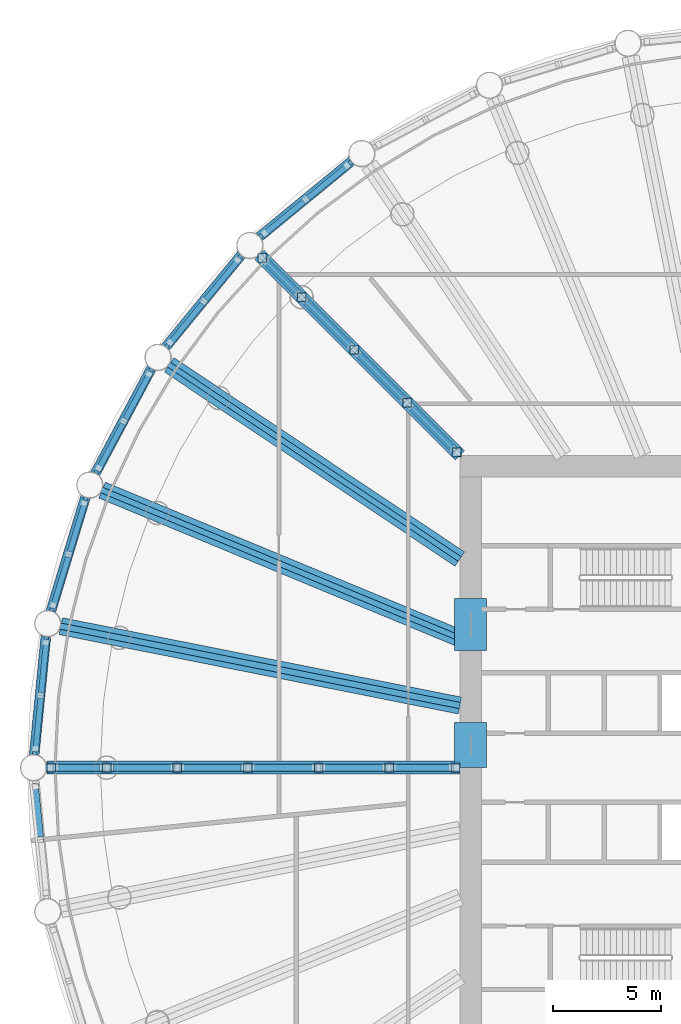
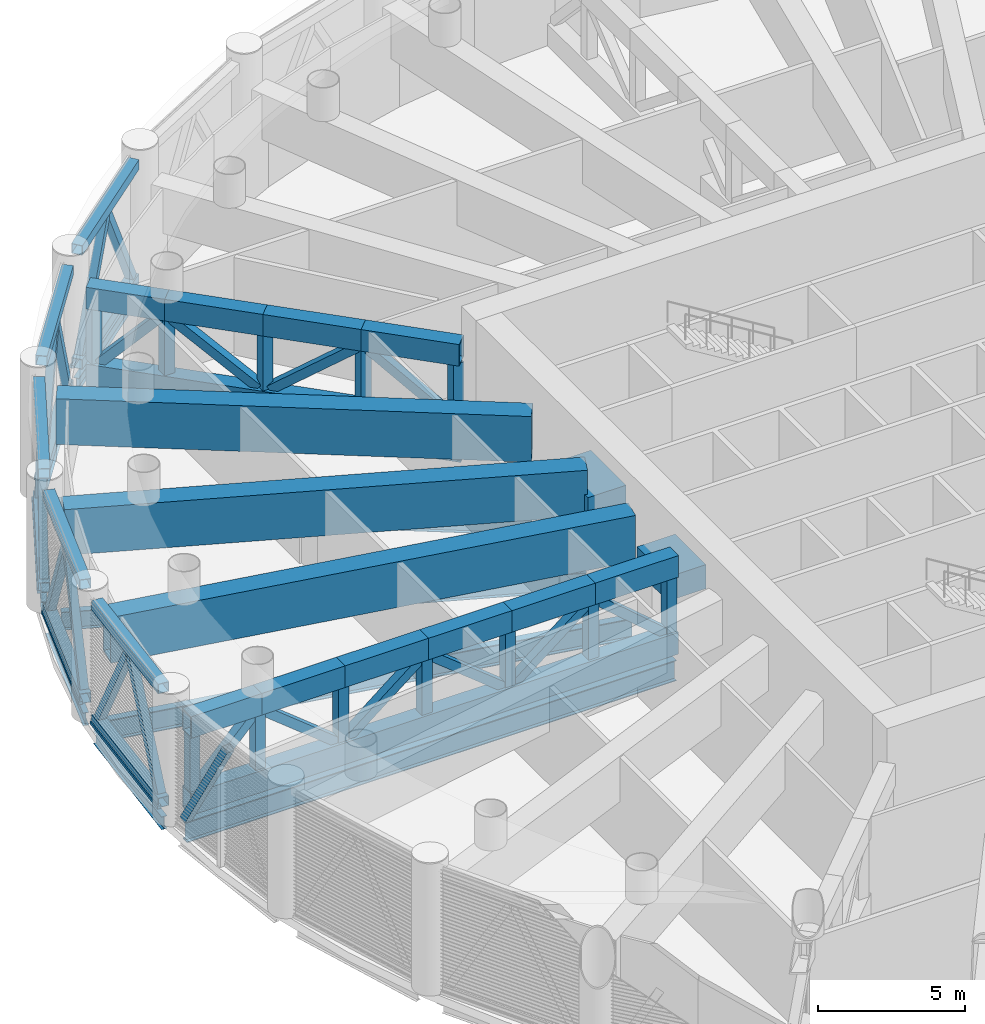
# One storey, part 4 of 29: 60 members, 15 beams, 5 elements without a shape of their own.
"""IFC4 building model written with IfcOpenShell, lengths in metres."""

from ifc_helpers import new_model, si_unit, direction, frame, origin, origin_2d, place, context, subcontext, project, spatial, rectangle, hollow_rectangle, i_section, extrude, material, material_profile, profile_set, type_object, element, aggregate, save


model = new_model("IFC4")

# Units and contexts
model_context = context("Model", 3, precision=1e-05, world=origin(), true_north=direction((0.0, 1.0)))
body_context = subcontext(model_context, "Body", "Model", "MODEL_VIEW")
ifc_project = project(units=[si_unit("LENGTHUNIT", "METRE"), si_unit("AREAUNIT", "SQUARE_METRE"), si_unit("VOLUMEUNIT", "CUBIC_METRE"), si_unit("PLANEANGLEUNIT", "RADIAN"), si_unit("MASSUNIT", "GRAM", prefix="KILO")], contexts=[model_context])

# Site, building, storey
site_placement = place(None, origin())
site = spatial("IfcSite", under=ifc_project, at=site_placement, CompositionType="ELEMENT")
building_placement = place(site_placement, origin())
building = spatial("IfcBuilding", under=site, at=building_placement, Name="Corvane Civic Tower", CompositionType="ELEMENT")
storey_placement = place(building_placement, frame((0.0, 0.0, 138.5)))
storey = spatial("IfcBuildingStorey", under=building, at=storey_placement, Name="L32", CompositionType="ELEMENT", Elevation=138.5)

# Members
ifc_material_1 = material(Name="Steel ASTM A500 Gr C", Category="steel")
ifc_material_profile_1 = material_profile(ifc_material_1, hollow_rectangle(XDim=0.406494140625, YDim=0.406494140625, WallThickness=0.0146484375, at=origin_2d()), Name="HSS16X16X5/8")
ifc_profile_set_1 = profile_set([ifc_material_profile_1], Name="Steel ASTM A500 Gr C")
member_type_1 = type_object("IfcMemberType", Name="BELT CHORD HSS16X16X5/8", PredefinedType="CHORD", material=ifc_profile_set_1)
for number, where, z_axis, x_axis, name in (
    (1, (-34.23876953125, 0.6220703125, 4.94677734375), (0.098033100605, 0.995183154593, 0.0), (-0.995183154593, 0.098033100605, 0.0), "Belt truss BT-L32"),
    (2, (-34.23876953125, 0.6220703125, 0.203125), (0.098033100605, 0.995183154593, 0.0), (-0.995183154593, 0.098033100605, 0.0), "Belt truss BT-L32"),
    (3, (-33.45947265625, 7.289794921875, 4.94677734375), (0.290313141039, 0.956931700875, 0.0), (-0.956931700875, 0.290313141039, 0.0), "Belt truss BT-L32"),
    (4, (-33.45947265625, 7.289794921875, 0.203125), (0.290313141039, 0.956931700875, 0.0), (-0.956931700875, 0.290313141039, 0.0), "Belt truss BT-L32"),
    (5, (-31.394287109375, 13.67724609375, 4.94677734375), (0.47138205606, 0.881929111224, 0.0), (-0.881929111224, 0.47138205606, 0.0), "Belt truss BT-L32"),
    (6, (-31.394287109375, 13.67724609375, 0.203125), (0.47138205606, 0.881929111224, 0.0), (-0.881929111224, 0.47138205606, 0.0), "Belt truss BT-L32"),
    (7, (-28.122802734375, 19.539306640625, 4.94677734375), (0.634415028276, 0.772992607919, 0.0), (-0.772992607919, 0.634415028276, 0.0), "Belt truss BT-L32"),
    (8, (-28.122802734375, 19.539306640625, 0.203125), (0.634415028276, 0.772992607919, 0.0), (-0.772992607919, 0.634415028276, 0.0), "Belt truss BT-L32"),
    (9, (-23.7705078125, 24.650146484375, 4.94677734375), (0.772992607919, 0.634415028276, 0.0), (-0.634415028276, 0.772992607919, 0.0), "Belt truss BT-L32"),
    (10, (-23.7705078125, 24.650146484375, 0.203125), (0.772992607919, 0.634415028276, 0.0), (-0.634415028276, 0.772992607919, 0.0), "Belt truss BT-L32"),
):
    element("IfcMember", number, at=place(storey_placement, frame(where, z_axis=z_axis, x_axis=x_axis)), inside=storey, type_object=member_type_1, Name=name, PredefinedType="CHORD", context=body_context, shape_type="SweptSolid", body=[
        extrude(hollow_rectangle(XDim=0.406494140625, YDim=0.406494140625, WallThickness=0.0146484375, at=origin_2d()), origin(), (0.0, 0.0, 1.0), 5.473876953125),
    ])
ifc_material_2 = material(Name="Steel ASTM A500 Gr C", Category="steel")
ifc_material_profile_2 = material_profile(ifc_material_2, hollow_rectangle(XDim=0.3046875, YDim=0.3046875, WallThickness=0.01171875, at=origin_2d()), Name="HSS12X12X1/2")
ifc_profile_set_2 = profile_set([ifc_material_profile_2], Name="Steel ASTM A500 Gr C")
member_type_2 = type_object("IfcMemberType", Name="BELT DIAGONAL HSS12X12X1/2", PredefinedType="BRACE", material=ifc_profile_set_2)
for number, where, z_axis, x_axis, name in (
    (11, (-34.21435546875, -0.870849609375, 0.406494140625), (0.048782677454, -0.495053837868, 0.867491756729), (0.995179993822, 0.098065181873, 0.0), "Belt truss BT-L32"),
    (12, (-34.21435546875, 0.870849609375, 0.406494140625), (0.048782677454, 0.495053837868, 0.867491756729), (-0.995179993822, 0.098065181873, 0.0), "Belt truss BT-L32"),
):
    element("IfcMember", number, at=place(storey_placement, frame(where, z_axis=z_axis, x_axis=x_axis)), inside=storey, type_object=member_type_2, Name=name, PredefinedType="BRACE", context=body_context, shape_type="SweptSolid", body=[
        extrude(hollow_rectangle(XDim=0.3046875, YDim=0.3046875, WallThickness=0.01171875, at=origin_2d()), origin(), (0.0, 0.0, 1.0), 4.999755859375),
    ])
for number, where, z_axis, x_axis, name in (
    (13, (-33.7265625, 5.82080078125, 0.406494140625), (-0.048783856722, -0.495016972565, 0.867512727397), (0.995179049669, -0.098074762811, 0.0), "Belt truss BT-L32"),
    (14, (-33.386962890625, 7.529052734375, 0.406494140625), (0.144399796979, 0.475977281417, 0.867521945663), (-0.956932702611, 0.290309839091, 0.0), "Belt truss BT-L32"),
    (15, (-31.94287109375, 12.28857421875, 0.406494140625), (-0.14444425397, -0.476011692933, 0.867495663209), (0.956913702942, -0.290372459305, 0.0), "Belt truss BT-L32"),
    (16, (-31.276611328125, 13.897705078125, 0.406494140625), (0.234490467462, 0.438705197767, 0.867497533208), (-0.881923225122, 0.471393068459, 0.0), "Belt truss BT-L32"),
):
    element("IfcMember", number, at=place(storey_placement, frame(where, z_axis=z_axis, x_axis=x_axis)), inside=storey, type_object=member_type_2, Name=name, PredefinedType="BRACE", context=body_context, shape_type="SweptSolid", body=[
        extrude(hollow_rectangle(XDim=0.3046875, YDim=0.3046875, WallThickness=0.01171875, at=origin_2d()), origin(), (0.0, 0.0, 1.0), 4.99951171875),
    ])
member_1_placement = place(storey_placement, frame((-28.931640625, 18.284423828125, 0.406494140625), z_axis=(-0.234536613447, -0.438700173893, 0.867487598977), x_axis=(0.881882412915, -0.471469415542, 0.0)))
element("IfcMember", 17, at=member_1_placement, inside=storey, type_object=member_type_2, Name="Belt truss BT-L32", PredefinedType="BRACE", context=body_context, shape_type="SweptSolid", body=[
    extrude(hollow_rectangle(XDim=0.3046875, YDim=0.3046875, WallThickness=0.01171875, at=origin_2d()), origin(), (0.0, 0.0, 1.0), 4.999755859375),
])
for number, where, z_axis, x_axis, name in (
    (18, (-27.964111328125, 19.732421875, 0.406494140625), (0.315550706765, 0.384549956016, 0.867495869032), (-0.773051152653, 0.634343688691, 0.0), "Belt truss BT-L32"),
    (19, (-24.808837890625, 23.577392578125, 0.406494140625), (-0.315556632044, -0.384508344276, 0.867512158505), (0.773011647263, -0.634391829389, 0.0), "Belt truss BT-L32"),
    (20, (-23.577392578125, 24.808837890625, 0.406494140625), (0.384508344276, 0.315556632044, 0.867512158505), (-0.634391829389, 0.773011647263, 0.0), "Belt truss BT-L32"),
    (21, (-19.732421875, 27.964111328125, 0.406494140625), (-0.384549956016, -0.315550706765, 0.867495869032), (0.634343688691, -0.773051152653, 0.0), "Belt truss BT-L32"),
):
    element("IfcMember", number, at=place(storey_placement, frame(where, z_axis=z_axis, x_axis=x_axis)), inside=storey, type_object=member_type_2, Name=name, PredefinedType="BRACE", context=body_context, shape_type="SweptSolid", body=[
        extrude(hollow_rectangle(XDim=0.3046875, YDim=0.3046875, WallThickness=0.01171875, at=origin_2d()), origin(), (0.0, 0.0, 1.0), 4.99951171875),
    ])

# Beams
ifc_material_3 = material(Name="Concrete C70/85", Category="concrete")
ifc_material_profile_3 = material_profile(ifc_material_3, rectangle(XDim=1.5, YDim=1.0, at=origin_2d()), Name="COUPLING BEAM 1500X1000")
ifc_profile_set_3 = profile_set([ifc_material_profile_3], Name="Concrete C70/85")
beam_type_1 = type_object("IfcBeamType", Name="COUPLING BEAM COUPLING BEAM 1500X1000", PredefinedType="BEAM", material=ifc_profile_set_3)
beam_1_placement = place(storey_placement, frame((-14.0, 0.0, 2.60009765625), z_axis=(0.0, 1.0, 0.0), x_axis=(-1.0, 0.0, 0.0)))
element("IfcBeam", 22, at=beam_1_placement, inside=storey, type_object=beam_type_1, Name="BM-L32-cpl-CW-LW", PredefinedType="BEAM", context=body_context, shape_type="SweptSolid", body=[
    extrude(rectangle(XDim=1.5, YDim=1.0, at=origin_2d()), origin(), (0.0, 0.0, 1.0), 2.10009765625),
])
beam_2_placement = place(storey_placement, frame((-14.0, 5.449951171875, 2.60009765625), z_axis=(0.0, 1.0, 0.0), x_axis=(-1.0, 0.0, 0.0)))
element("IfcBeam", 23, at=beam_2_placement, inside=storey, type_object=beam_type_1, Name="BM-L32-cpl-CW-WN", PredefinedType="BEAM", context=body_context, shape_type="SweptSolid", body=[
    extrude(rectangle(XDim=1.5, YDim=1.0, at=origin_2d()), origin(), (0.0, 0.0, 1.0), 2.400146484375),
])
ifc_material_4 = material(Name="Steel ASTM A992 Gr 50", Category="steel")
ifc_material_profile_4 = material_profile(ifc_material_4, i_section(OverallWidth=0.209228515625, OverallDepth=0.533447265625, WebThickness=0.01025390625, FlangeThickness=0.015625, at=origin_2d()), Name="W21X62")
ifc_profile_set_4 = profile_set([ifc_material_profile_4], Name="Steel ASTM A992 Gr 50")
beam_type_2 = type_object("IfcBeamType", Name="EDGE BEAM W21X62", PredefinedType="BEAM", material=ifc_profile_set_4)
beam_3_placement = place(storey_placement, frame((-34.24609375, 0.54736328125, -0.61669921875), z_axis=(0.098020776625, 0.995184368522, 0.0), x_axis=(-0.995184368522, 0.098020776625, 0.0)))
element("IfcBeam", 24, at=beam_3_placement, inside=storey, type_object=beam_type_2, Name="BM-L32-E25", PredefinedType="BEAM", context=body_context, shape_type="SweptSolid", body=[
    extrude(i_section(OverallWidth=0.209228515625, OverallDepth=0.533447265625, WebThickness=0.01025390625, FlangeThickness=0.015625, at=origin_2d()), origin(), (0.0, 0.0, 1.0), 5.6240234375),
])
beam_4_placement = place(storey_placement, frame((-33.481201171875, 7.218017578125, -0.61669921875), z_axis=(0.290297758448, 0.956936367498, 0.0), x_axis=(-0.956936367498, 0.290297758448, 0.0)))
element("IfcBeam", 25, at=beam_4_placement, inside=storey, type_object=beam_type_2, Name="BM-L32-E26", PredefinedType="BEAM", context=body_context, shape_type="SweptSolid", body=[
    extrude(i_section(OverallWidth=0.209228515625, OverallDepth=0.533447265625, WebThickness=0.01025390625, FlangeThickness=0.015625, at=origin_2d()), origin(), (0.0, 0.0, 1.0), 5.623779296875),
])
for number, where, z_axis, x_axis, name in (
    (26, (-31.4296875, 13.611083984375, -0.61669921875), (0.471392407008, 0.88192357867, 0.0), (-0.88192357867, 0.471392407008, 0.0), "BM-L32-E27"),
    (27, (-28.17041015625, 19.481201171875, -0.61669921875), (0.634397765782, 0.773006775372, 0.0), (-0.773006775372, 0.634397765782, 0.0), "BM-L32-E28"),
    (28, (-23.82861328125, 24.6025390625, -0.61669921875), (0.773006775372, 0.634397765782, 0.0), (-0.634397765782, 0.773006775372, 0.0), "BM-L32-E29"),
):
    element("IfcBeam", number, at=place(storey_placement, frame(where, z_axis=z_axis, x_axis=x_axis)), inside=storey, type_object=beam_type_2, Name=name, PredefinedType="BEAM", context=body_context, shape_type="SweptSolid", body=[
        extrude(i_section(OverallWidth=0.209228515625, OverallDepth=0.533447265625, WebThickness=0.01025390625, FlangeThickness=0.015625, at=origin_2d()), origin(), (0.0, 0.0, 1.0), 5.6240234375),
    ])
ifc_material_5 = material(Name="Steel ASTM A992 Gr 50", Category="steel")
ifc_material_profile_5 = material_profile(ifc_material_5, i_section(OverallWidth=0.177978515625, OverallDepth=0.599365234375, WebThickness=0.010009765625, FlangeThickness=0.012939453125, at=origin_2d()), Name="W24X55")
ifc_profile_set_5 = profile_set([ifc_material_profile_5], Name="Steel ASTM A992 Gr 50")
beam_type_3 = type_object("IfcBeamType", Name="FLOOR GIRDER W24X55", PredefinedType="BEAM", material=ifc_profile_set_5)
beam_5_placement = place(storey_placement, frame((-14.5, 14.5, -0.649658203125), z_axis=(-0.707106781187, 0.707106781187, 0.0), x_axis=(-0.707106781187, -0.707106781187, 0.0)))
element("IfcBeam", 29, at=beam_5_placement, inside=storey, type_object=beam_type_3, Name="BM-L32-G29", PredefinedType="BEAM", context=body_context, shape_type="SweptSolid", body=[
    extrude(i_section(OverallWidth=0.177978515625, OverallDepth=0.599365234375, WebThickness=0.010009765625, FlangeThickness=0.012939453125, at=origin_2d()), origin(), (0.0, 0.0, 1.0), 13.24365234375),
])
ifc_material_6 = material(Name="Steel ASTM A992 Gr 50", Category="steel")
ifc_material_profile_6 = material_profile(ifc_material_6, i_section(OverallWidth=0.256591796875, OverallDepth=0.693359375, WebThickness=0.014404296875, FlangeThickness=0.023681640625, at=origin_2d()), Name="W27X114")
ifc_profile_set_6 = profile_set([ifc_material_profile_6], Name="Steel ASTM A992 Gr 50")
beam_type_4 = type_object("IfcBeamType", Name="FLOOR GIRDER W27X114", PredefinedType="BEAM", material=ifc_profile_set_6)
beam_6_placement = place(storey_placement, frame((-14.5, 9.6884765625, -0.69677734375), z_axis=(-0.83146493365, 0.555577235054, 0.0), x_axis=(-0.555577235054, -0.83146493365, 0.0)))
element("IfcBeam", 30, at=beam_6_placement, inside=storey, type_object=beam_type_4, Name="BM-L32-G28", PredefinedType="BEAM", context=body_context, shape_type="SweptSolid", body=[
    extrude(i_section(OverallWidth=0.256591796875, OverallDepth=0.693359375, WebThickness=0.014404296875, FlangeThickness=0.023681640625, at=origin_2d()), origin(), (0.0, 0.0, 1.0), 16.31103515625),
])
ifc_material_7 = material(Name="Steel ASTM A992 Gr 50", Category="steel")
ifc_material_profile_7 = material_profile(ifc_material_7, i_section(OverallWidth=0.2666015625, OverallDepth=0.7568359375, WebThickness=0.013916015625, FlangeThickness=0.019287109375, at=origin_2d()), Name="W30X108")
ifc_profile_set_7 = profile_set([ifc_material_profile_7], Name="Steel ASTM A992 Gr 50")
beam_type_5 = type_object("IfcBeamType", Name="FLOOR GIRDER W30X108", PredefinedType="BEAM", material=ifc_profile_set_7)
beam_7_placement = place(storey_placement, frame((-14.5, 6.006103515625, -0.728515625), z_axis=(-0.923880209691, 0.382681797504, 0.0), x_axis=(-0.382681797504, -0.923880209691, 0.0)))
element("IfcBeam", 31, at=beam_7_placement, inside=storey, type_object=beam_type_5, Name="BM-L32-G27", PredefinedType="BEAM", context=body_context, shape_type="SweptSolid", body=[
    extrude(i_section(OverallWidth=0.2666015625, OverallDepth=0.7568359375, WebThickness=0.013916015625, FlangeThickness=0.019287109375, at=origin_2d()), origin(), (0.0, 0.0, 1.0), 18.05517578125),
])
ifc_material_8 = material(Name="Steel ASTM A992 Gr 50", Category="steel")
ifc_material_profile_8 = material_profile(ifc_material_8, i_section(OverallWidth=0.2919921875, OverallDepth=0.8583984375, WebThickness=0.01708984375, FlangeThickness=0.031005859375, at=origin_2d()), Name="W33X169")
ifc_profile_set_8 = profile_set([ifc_material_profile_8], Name="Steel ASTM A992 Gr 50")
beam_type_6 = type_object("IfcBeamType", Name="FLOOR GIRDER W33X169", PredefinedType="BEAM", material=ifc_profile_set_8)
beam_8_placement = place(storey_placement, frame((-14.5, 0.0, -0.779296875), z_axis=(-1.0, 0.0, 0.0), x_axis=(0.0, -1.0, 0.0)))
element("IfcBeam", 32, at=beam_8_placement, inside=storey, type_object=beam_type_6, Name="BM-L32-G25", PredefinedType="BEAM", context=body_context, shape_type="SweptSolid", body=[
    extrude(i_section(OverallWidth=0.2919921875, OverallDepth=0.8583984375, WebThickness=0.01708984375, FlangeThickness=0.031005859375, at=origin_2d()), origin(), (0.0, 0.0, 1.0), 19.25),
])
beam_9_placement = place(storey_placement, frame((-14.5, 2.88427734375, -0.779296875), z_axis=(-0.9807865885, 0.195083745652, 0.0), x_axis=(-0.195083745652, -0.9807865885, 0.0)))
element("IfcBeam", 33, at=beam_9_placement, inside=storey, type_object=beam_type_6, Name="BM-L32-G26", PredefinedType="BEAM", context=body_context, shape_type="SweptSolid", body=[
    extrude(i_section(OverallWidth=0.2919921875, OverallDepth=0.8583984375, WebThickness=0.01708984375, FlangeThickness=0.031005859375, at=origin_2d()), origin(), (0.0, 0.0, 1.0), 18.966064453125),
])

# Members
ifc_material_9 = material(Name="Steel ASTM A572 Gr 50", Category="steel")
ifc_material_profile_9 = material_profile(ifc_material_9, hollow_rectangle(XDim=0.60009765625, YDim=0.89990234375, WallThickness=0.0400390625, at=origin_2d()), Name="BOX900X600X40")
ifc_profile_set_9 = profile_set([ifc_material_profile_9], Name="Steel ASTM A572 Gr 50")
member_type_3 = type_object("IfcMemberType", Name="OUTRIGGER CHORD BOX900X600X40", PredefinedType="CHORD", material=ifc_profile_set_9)
for number, where, z_axis, x_axis, name in (
    (34, (-14.5, 0.0, 3.64990234375), (-1.0, 0.0, 0.0), (0.0, -1.0, 0.0), "Outrigger truss OT-L32-7"),
    (35, (-17.780029296875, 0.0, 3.64990234375), (-1.0, 0.0, 0.0), (0.0, -1.0, 0.0), "Outrigger truss OT-L32-7"),
    (36, (-21.06005859375, 0.0, 3.64990234375), (-1.0, 0.0, 0.0), (0.0, -1.0, 0.0), "Outrigger truss OT-L32-7"),
    (37, (-24.340087890625, 0.0, 3.64990234375), (-1.0, 0.0, 0.0), (0.0, -1.0, 0.0), "Outrigger truss OT-L32-7"),
):
    element("IfcMember", number, at=place(storey_placement, frame(where, z_axis=z_axis, x_axis=x_axis)), inside=storey, type_object=member_type_3, Name=name, PredefinedType="CHORD", context=body_context, shape_type="SweptSolid", body=[
        extrude(hollow_rectangle(XDim=0.60009765625, YDim=0.89990234375, WallThickness=0.0400390625, at=origin_2d()), origin(), (0.0, 0.0, 1.0), 3.280029296875),
    ])
member_2_placement = place(storey_placement, frame((-27.6201171875, 0.0, 3.64990234375), z_axis=(-1.0, 0.0, 0.0), x_axis=(0.0, -1.0, 0.0)))
element("IfcMember", 38, at=member_2_placement, inside=storey, type_object=member_type_3, Name="Outrigger truss OT-L32-7", PredefinedType="CHORD", context=body_context, shape_type="SweptSolid", body=[
    extrude(hollow_rectangle(XDim=0.60009765625, YDim=0.89990234375, WallThickness=0.0400390625, at=origin_2d()), origin(), (0.0, 0.0, 1.0), 3.27978515625),
])
member_3_placement = place(storey_placement, frame((-30.89990234375, 0.0, 3.64990234375), z_axis=(-1.0, 0.0, 0.0), x_axis=(0.0, -1.0, 0.0)))
element("IfcMember", 39, at=member_3_placement, inside=storey, type_object=member_type_3, Name="Outrigger truss OT-L32-7", PredefinedType="CHORD", context=body_context, shape_type="SweptSolid", body=[
    extrude(hollow_rectangle(XDim=0.60009765625, YDim=0.89990234375, WallThickness=0.0400390625, at=origin_2d()), origin(), (0.0, 0.0, 1.0), 2.775146484375),
])
member_4_placement = place(storey_placement, frame((-14.5, 0.0, 0.449951171875), z_axis=(-1.0, 0.0, 0.0), x_axis=(0.0, -1.0, 0.0)))
element("IfcMember", 40, at=member_4_placement, inside=storey, type_object=member_type_3, Name="Outrigger truss OT-L32-7", PredefinedType="CHORD", context=body_context, shape_type="SweptSolid", body=[
    extrude(hollow_rectangle(XDim=0.60009765625, YDim=0.89990234375, WallThickness=0.0400390625, at=origin_2d()), origin(), (0.0, 0.0, 1.0), 19.175048828125),
])
member_5_placement = place(storey_placement, frame((-14.5, 14.5, 3.64990234375), z_axis=(-0.707106781187, 0.707106781187, 0.0), x_axis=(-0.707106781187, -0.707106781187, 0.0)))
element("IfcMember", 41, at=member_5_placement, inside=storey, type_object=member_type_3, Name="Outrigger truss OT-L32-8", PredefinedType="CHORD", context=body_context, shape_type="SweptSolid", body=[
    extrude(hollow_rectangle(XDim=0.60009765625, YDim=0.89990234375, WallThickness=0.0400390625, at=origin_2d()), origin(), (0.0, 0.0, 1.0), 3.46484375),
])
member_6_placement = place(storey_placement, frame((-16.949951171875, 16.949951171875, 3.64990234375), z_axis=(-0.707106781187, 0.707106781187, 0.0), x_axis=(-0.707106781187, -0.707106781187, 0.0)))
element("IfcMember", 42, at=member_6_placement, inside=storey, type_object=member_type_3, Name="Outrigger truss OT-L32-8", PredefinedType="CHORD", context=body_context, shape_type="SweptSolid", body=[
    extrude(hollow_rectangle(XDim=0.60009765625, YDim=0.89990234375, WallThickness=0.0400390625, at=origin_2d()), origin(), (0.0, 0.0, 1.0), 3.46435546875),
])
member_7_placement = place(storey_placement, frame((-19.399658203125, 19.399658203125, 3.64990234375), z_axis=(-0.707106781187, 0.707106781187, 0.0), x_axis=(-0.707106781187, -0.707106781187, 0.0)))
element("IfcMember", 43, at=member_7_placement, inside=storey, type_object=member_type_3, Name="Outrigger truss OT-L32-8", PredefinedType="CHORD", context=body_context, shape_type="SweptSolid", body=[
    extrude(hollow_rectangle(XDim=0.60009765625, YDim=0.89990234375, WallThickness=0.0400390625, at=origin_2d()), origin(), (0.0, 0.0, 1.0), 3.46484375),
])
member_8_placement = place(storey_placement, frame((-21.849609375, 21.849609375, 3.64990234375), z_axis=(-0.707106781187, 0.707106781187, 0.0), x_axis=(-0.707106781187, -0.707106781187, 0.0)))
element("IfcMember", 44, at=member_8_placement, inside=storey, type_object=member_type_3, Name="Outrigger truss OT-L32-8", PredefinedType="CHORD", context=body_context, shape_type="SweptSolid", body=[
    extrude(hollow_rectangle(XDim=0.60009765625, YDim=0.89990234375, WallThickness=0.0400390625, at=origin_2d()), origin(), (0.0, 0.0, 1.0), 2.77490234375),
])
member_9_placement = place(storey_placement, frame((-14.5, 14.5, 0.449951171875), z_axis=(-0.707106781187, 0.707106781187, 0.0), x_axis=(-0.707106781187, -0.707106781187, 0.0)))
element("IfcMember", 45, at=member_9_placement, inside=storey, type_object=member_type_3, Name="Outrigger truss OT-L32-8", PredefinedType="CHORD", context=body_context, shape_type="SweptSolid", body=[
    extrude(hollow_rectangle(XDim=0.60009765625, YDim=0.89990234375, WallThickness=0.0400390625, at=origin_2d()), origin(), (0.0, 0.0, 1.0), 13.1689453125),
])
ifc_material_10 = material(Name="Steel ASTM A500 Gr C", Category="steel")
ifc_material_profile_10 = material_profile(ifc_material_10, hollow_rectangle(XDim=0.355712890625, YDim=0.355712890625, WallThickness=0.01171875, at=origin_2d()), Name="HSS14X14X1/2")
ifc_profile_set_10 = profile_set([ifc_material_profile_10], Name="Steel ASTM A500 Gr C")
member_type_4 = type_object("IfcMemberType", Name="OUTRIGGER DIAGONAL HSS14X14X1/2", PredefinedType="BRACE", material=ifc_profile_set_10)
member_10_placement = place(storey_placement, frame((-14.906494140625, 0.0, 0.89990234375), z_axis=(-0.757694584279, 0.0, 0.652609314179), x_axis=(0.0, -1.0, 0.0)))
element("IfcMember", 46, at=member_10_placement, inside=storey, type_object=member_type_4, Name="Outrigger truss OT-L32-7", PredefinedType="BRACE", context=body_context, shape_type="SweptSolid", body=[
    extrude(hollow_rectangle(XDim=0.355712890625, YDim=0.355712890625, WallThickness=0.01171875, at=origin_2d()), origin(), (0.0, 0.0, 1.0), 3.5244140625),
])
for number, where, z_axis, x_axis, name in (
    (47, (-17.983154296875, 0.0, 3.199951171875), (-0.780707002168, 0.0, -0.624897252967), (0.0, -1.0, 0.0), "Outrigger truss OT-L32-7"),
    (48, (-21.26318359375, 0.0, 0.89990234375), (-0.780707002168, 0.0, 0.624897252967), (0.0, -1.0, 0.0), "Outrigger truss OT-L32-7"),
    (49, (-24.543212890625, 0.0, 3.199951171875), (-0.780707002168, 0.0, -0.624897252967), (0.0, -1.0, 0.0), "Outrigger truss OT-L32-7"),
    (50, (-27.8232421875, 0.0, 0.89990234375), (-0.780707002168, 0.0, 0.624897252967), (0.0, -1.0, 0.0), "Outrigger truss OT-L32-7"),
):
    element("IfcMember", number, at=place(storey_placement, frame(where, z_axis=z_axis, x_axis=x_axis)), inside=storey, type_object=member_type_4, Name=name, PredefinedType="BRACE", context=body_context, shape_type="SweptSolid", body=[
        extrude(hollow_rectangle(XDim=0.355712890625, YDim=0.355712890625, WallThickness=0.01171875, at=origin_2d()), origin(), (0.0, 0.0, 1.0), 3.6806640625),
    ])
member_11_placement = place(storey_placement, frame((-31.103271484375, 0.0, 3.199951171875), z_axis=(-0.685453892401, 0.0, -0.728116035665), x_axis=(0.0, -1.0, 0.0)))
element("IfcMember", 51, at=member_11_placement, inside=storey, type_object=member_type_4, Name="Outrigger truss OT-L32-7", PredefinedType="BRACE", context=body_context, shape_type="SweptSolid", body=[
    extrude(hollow_rectangle(XDim=0.355712890625, YDim=0.355712890625, WallThickness=0.01171875, at=origin_2d()), origin(), (0.0, 0.0, 1.0), 3.158935546875),
])
member_12_placement = place(storey_placement, frame((-14.787353515625, 14.787353515625, 0.89990234375), z_axis=(-0.55064544484, 0.55064544484, 0.627358899), x_axis=(-0.707106781187, -0.707106781187, 0.0)))
element("IfcMember", 52, at=member_12_placement, inside=storey, type_object=member_type_4, Name="Outrigger truss OT-L32-8", PredefinedType="BRACE", context=body_context, shape_type="SweptSolid", body=[
    extrude(hollow_rectangle(XDim=0.355712890625, YDim=0.355712890625, WallThickness=0.01171875, at=origin_2d()), origin(), (0.0, 0.0, 1.0), 3.666259765625),
])
member_13_placement = place(storey_placement, frame((-17.093505859375, 17.093505859375, 3.199951171875), z_axis=(-0.565129033504, 0.565129033504, -0.601047711069), x_axis=(-0.707106781187, -0.707106781187, 0.0)))
element("IfcMember", 53, at=member_13_placement, inside=storey, type_object=member_type_4, Name="Outrigger truss OT-L32-8", PredefinedType="BRACE", context=body_context, shape_type="SweptSolid", body=[
    extrude(hollow_rectangle(XDim=0.355712890625, YDim=0.355712890625, WallThickness=0.01171875, at=origin_2d()), origin(), (0.0, 0.0, 1.0), 3.82666015625),
])
member_14_placement = place(storey_placement, frame((-19.54345703125, 19.54345703125, 0.89990234375), z_axis=(-0.565105983192, 0.565105983192, 0.601091054268), x_axis=(-0.707106781187, -0.707106781187, 0.0)))
element("IfcMember", 54, at=member_14_placement, inside=storey, type_object=member_type_4, Name="Outrigger truss OT-L32-8", PredefinedType="BRACE", context=body_context, shape_type="SweptSolid", body=[
    extrude(hollow_rectangle(XDim=0.355712890625, YDim=0.355712890625, WallThickness=0.01171875, at=origin_2d()), origin(), (0.0, 0.0, 1.0), 3.826416015625),
])
member_15_placement = place(storey_placement, frame((-21.9931640625, 21.9931640625, 3.199951171875), z_axis=(-0.48471654406, 0.48471654406, -0.728079490049), x_axis=(-0.707106781187, -0.707106781187, 0.0)))
element("IfcMember", 55, at=member_15_placement, inside=storey, type_object=member_type_4, Name="Outrigger truss OT-L32-8", PredefinedType="BRACE", context=body_context, shape_type="SweptSolid", body=[
    extrude(hollow_rectangle(XDim=0.355712890625, YDim=0.355712890625, WallThickness=0.01171875, at=origin_2d()), origin(), (0.0, 0.0, 1.0), 3.1591796875),
])
ifc_material_11 = material(Name="Steel ASTM A500 Gr C", Category="steel")
ifc_material_profile_11 = material_profile(ifc_material_11, hollow_rectangle(XDim=0.406494140625, YDim=0.406494140625, WallThickness=0.0146484375, at=origin_2d()), Name="HSS16X16X5/8")
ifc_profile_set_11 = profile_set([ifc_material_profile_11], Name="Steel ASTM A500 Gr C")
member_type_5 = type_object("IfcMemberType", Name="OUTRIGGER POST HSS16X16X5/8", PredefinedType="POST", material=ifc_profile_set_11)
for number, where, z_axis, x_axis, name in (
    (56, (-14.703125, 0.0, 0.89990234375), (0.0, 0.0, 1.0), (1.0, 0.0, 0.0), "Outrigger truss OT-L32-7"),
    (57, (-17.780029296875, 0.0, 0.89990234375), (0.0, 0.0, 1.0), (1.0, 0.0, 0.0), "Outrigger truss OT-L32-7"),
    (58, (-21.06005859375, 0.0, 0.89990234375), (0.0, 0.0, 1.0), (1.0, 0.0, 0.0), "Outrigger truss OT-L32-7"),
    (59, (-24.340087890625, 0.0, 0.89990234375), (0.0, 0.0, 1.0), (1.0, 0.0, 0.0), "Outrigger truss OT-L32-7"),
    (60, (-27.6201171875, 0.0, 0.89990234375), (0.0, 0.0, 1.0), (1.0, 0.0, 0.0), "Outrigger truss OT-L32-7"),
    (61, (-30.89990234375, 0.0, 0.89990234375), (0.0, 0.0, 1.0), (1.0, 0.0, 0.0), "Outrigger truss OT-L32-7"),
    (62, (-33.4716796875, 0.0, 0.89990234375), (0.0, 0.0, 1.0), (1.0, 0.0, 0.0), "Outrigger truss OT-L32-7"),
    (63, (-14.643798828125, 14.643798828125, 0.89990234375), (0.0, 0.0, 1.0), (1.0, 0.0, 0.0), "Outrigger truss OT-L32-8"),
    (64, (-16.949951171875, 16.949951171875, 0.89990234375), (0.0, 0.0, 1.0), (1.0, 0.0, 0.0), "Outrigger truss OT-L32-8"),
    (65, (-19.399658203125, 19.399658203125, 0.89990234375), (0.0, 0.0, 1.0), (1.0, 0.0, 0.0), "Outrigger truss OT-L32-8"),
    (66, (-21.849609375, 21.849609375, 0.89990234375), (0.0, 0.0, 1.0), (1.0, 0.0, 0.0), "Outrigger truss OT-L32-8"),
    (67, (-23.668212890625, 23.668212890625, 0.89990234375), (0.0, 0.0, 1.0), (1.0, 0.0, 0.0), "Outrigger truss OT-L32-8"),
):
    element("IfcMember", number, at=place(storey_placement, frame(where, z_axis=z_axis, x_axis=x_axis)), inside=storey, type_object=member_type_5, Name=name, PredefinedType="POST", context=body_context, shape_type="SweptSolid", body=[
        extrude(hollow_rectangle(XDim=0.406494140625, YDim=0.406494140625, WallThickness=0.0146484375, at=origin_2d()), origin(), (0.0, 0.0, 1.0), 2.300048828125),
    ])

# Curtain wall, member
ifc_material_12 = material(Name="Anodised aluminium bronze", Category="aluminium")
curtain_wall_type = type_object("IfcCurtainWallType", Name="TOWER CW-LV LOUVRE SCREEN WALL", PredefinedType="NOTDEFINED", material=ifc_material_12)
curtain_wall_1_placement = place(storey_placement, origin())
curtain_wall_1 = element("IfcCurtainWall", 68, at=curtain_wall_1_placement, inside=storey, type_object=curtain_wall_type, Name="Louvre screen wall CW-LV L32 bay 25", PredefinedType="NOTDEFINED")
ifc_material_13 = material(Name="Anodised aluminium bronze", Category="aluminium")
ifc_material_profile_12 = material_profile(ifc_material_13, rectangle(XDim=0.139892578125, YDim=0.1201171875, at=origin_2d()), Name="TOWER CW-LV TRANSOM 140x120")
ifc_profile_set_12 = profile_set([ifc_material_profile_12], Name="Anodised aluminium bronze")
member_type_6 = type_object("IfcMemberType", Name="TOWER CW-LV TRANSOM 140x120", PredefinedType="USERDEFINED", material=ifc_profile_set_12)
member_16_placement = place(storey_placement, frame((-34.422607421875, 0.58349609375, 0.06005859375), z_axis=(0.098067077419, 0.995179807033, 0.0), x_axis=(-0.995179807033, 0.098067077419, 0.0)))
member_16 = element("IfcMember", 69, at=member_16_placement, type_object=member_type_6, Name="Transom CW-LV L32 25.1", ObjectType="TRANSOM", PredefinedType="USERDEFINED", context=body_context, shape_type="SweptSolid", body=[
    extrude(rectangle(XDim=0.139892578125, YDim=0.1201171875, at=origin_2d()), origin(), (0.0, 0.0, 1.0), 5.58642578125),
])
aggregate(curtain_wall_1, [member_16])

curtain_wall_2_placement = place(storey_placement, origin())
curtain_wall_2 = element("IfcCurtainWall", 70, at=curtain_wall_2_placement, inside=storey, type_object=curtain_wall_type, Name="Louvre screen wall CW-LV L32 bay 26", PredefinedType="NOTDEFINED")
member_17_placement = place(storey_placement, frame((-33.647216796875, 7.287841796875, 0.06005859375), z_axis=(0.290269376509, 0.956944977029, 0.0), x_axis=(-0.956944977029, 0.290269376509, 0.0)))
member_17 = element("IfcMember", 71, at=member_17_placement, type_object=member_type_6, Name="Transom CW-LV L32 26.1", ObjectType="TRANSOM", PredefinedType="USERDEFINED", context=body_context, shape_type="SweptSolid", body=[
    extrude(rectangle(XDim=0.139892578125, YDim=0.1201171875, at=origin_2d()), origin(), (0.0, 0.0, 1.0), 5.58642578125),
])
aggregate(curtain_wall_2, [member_17])

curtain_wall_3_placement = place(storey_placement, origin())
curtain_wall_3 = element("IfcCurtainWall", 72, at=curtain_wall_3_placement, inside=storey, type_object=curtain_wall_type, Name="Louvre screen wall CW-LV L32 bay 27", PredefinedType="NOTDEFINED")
member_18_placement = place(storey_placement, frame((-31.5791015625, 13.712158203125, 0.06005859375), z_axis=(0.47139778253, 0.881920705407, 0.0), x_axis=(-0.881920705407, 0.47139778253, 0.0)))
member_18 = element("IfcMember", 73, at=member_18_placement, type_object=member_type_6, Name="Transom CW-LV L32 27.1", ObjectType="TRANSOM", PredefinedType="USERDEFINED", context=body_context, shape_type="SweptSolid", body=[
    extrude(rectangle(XDim=0.139892578125, YDim=0.1201171875, at=origin_2d()), origin(), (0.0, 0.0, 1.0), 5.586669921875),
])
aggregate(curtain_wall_3, [member_18])

curtain_wall_4_placement = place(storey_placement, origin())
curtain_wall_4 = element("IfcCurtainWall", 74, at=curtain_wall_4_placement, inside=storey, type_object=curtain_wall_type, Name="Louvre screen wall CW-LV L32 bay 28", PredefinedType="NOTDEFINED")
member_19_placement = place(storey_placement, frame((-28.297119140625, 19.609619140625, 0.06005859375), z_axis=(0.634410369295, 0.772996431642, 0.0), x_axis=(-0.772996431642, 0.634410369295, 0.0)))
member_19 = element("IfcMember", 75, at=member_19_placement, type_object=member_type_6, Name="Transom CW-LV L32 28.1", ObjectType="TRANSOM", PredefinedType="USERDEFINED", context=body_context, shape_type="SweptSolid", body=[
    extrude(rectangle(XDim=0.139892578125, YDim=0.1201171875, at=origin_2d()), origin(), (0.0, 0.0, 1.0), 5.586181640625),
])
aggregate(curtain_wall_4, [member_19])

curtain_wall_5_placement = place(storey_placement, origin())
curtain_wall_5 = element("IfcCurtainWall", 76, at=curtain_wall_5_placement, inside=storey, type_object=curtain_wall_type, Name="Louvre screen wall CW-LV L32 bay 29", PredefinedType="NOTDEFINED")
member_20_placement = place(storey_placement, frame((-23.927734375, 24.753173828125, 0.06005859375), z_axis=(0.772996431642, 0.634410369295, 0.0), x_axis=(-0.634410369295, 0.772996431642, 0.0)))
member_20 = element("IfcMember", 77, at=member_20_placement, type_object=member_type_6, Name="Transom CW-LV L32 29.1", ObjectType="TRANSOM", PredefinedType="USERDEFINED", context=body_context, shape_type="SweptSolid", body=[
    extrude(rectangle(XDim=0.139892578125, YDim=0.1201171875, at=origin_2d()), origin(), (0.0, 0.0, 1.0), 5.586181640625),
])
aggregate(curtain_wall_5, [member_20])

# Beams
ifc_material_14 = material(Name="Steel ASTM A572 Gr 50", Category="steel")
ifc_material_profile_13 = material_profile(ifc_material_14, hollow_rectangle(XDim=0.800048828125, YDim=1.89990234375, WallThickness=0.050048828125, at=origin_2d()), Name="BOX1900X800X50")
ifc_profile_set_13 = profile_set([ifc_material_profile_13], Name="Steel ASTM A572 Gr 50")
beam_type_7 = type_object("IfcBeamType", Name="TRANSFER GIRDER BOX1900X800X50", PredefinedType="BEAM", material=ifc_profile_set_13)
beam_10_placement = place(storey_placement, frame((-14.5, 2.88427734375, 3.14990234375), z_axis=(-0.980786416815, 0.1950846088, 0.0), x_axis=(-0.1950846088, -0.980786416815, 0.0)))
element("IfcBeam", 78, at=beam_10_placement, inside=storey, type_object=beam_type_7, Name="Transfer girder TG-L32-26", PredefinedType="BEAM", context=body_context, shape_type="SweptSolid", body=[
    extrude(hollow_rectangle(XDim=0.800048828125, YDim=1.89990234375, WallThickness=0.050048828125, at=origin_2d()), origin(), (0.0, 0.0, 1.0), 18.890869140625),
])
beam_11_placement = place(storey_placement, frame((-14.5, 6.006103515625, 3.14990234375), z_axis=(-0.923877156168, 0.382689169316, 0.0), x_axis=(-0.382689169316, -0.923877156168, 0.0)))
element("IfcBeam", 79, at=beam_11_placement, inside=storey, type_object=beam_type_7, Name="Transfer girder TG-L32-27", PredefinedType="BEAM", context=body_context, shape_type="SweptSolid", body=[
    extrude(hollow_rectangle(XDim=0.800048828125, YDim=1.89990234375, WallThickness=0.050048828125, at=origin_2d()), origin(), (0.0, 0.0, 1.0), 17.980224609375),
])
beam_12_placement = place(storey_placement, frame((-14.5, 9.6884765625, 3.14990234375), z_axis=(-0.831469180137, 0.5555708798, 0.0), x_axis=(-0.5555708798, -0.831469180137, 0.0)))
element("IfcBeam", 80, at=beam_12_placement, inside=storey, type_object=beam_type_7, Name="Transfer girder TG-L32-28", PredefinedType="BEAM", context=body_context, shape_type="SweptSolid", body=[
    extrude(hollow_rectangle(XDim=0.800048828125, YDim=1.89990234375, WallThickness=0.050048828125, at=origin_2d()), origin(), (0.0, 0.0, 1.0), 16.236083984375),
])

save(model, "model.ifc")
